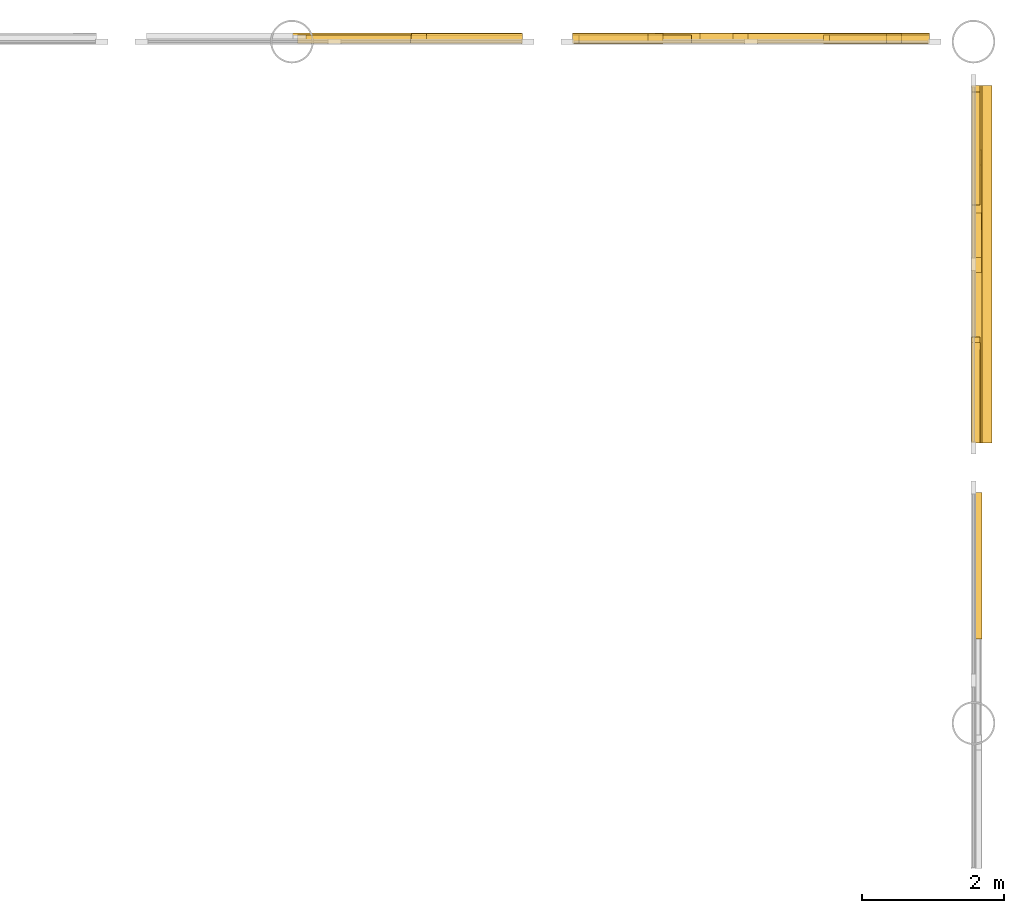
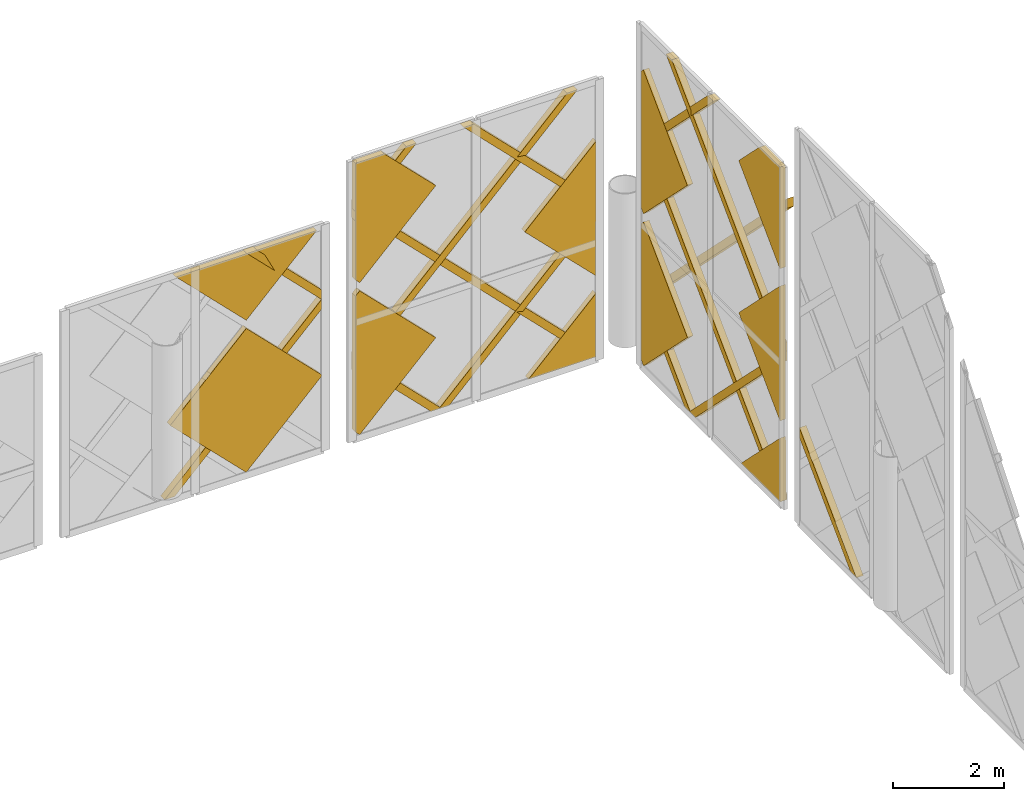
# One storey, part 53 of 53: 26 coverings.
"""IFC4 building model written with IfcOpenShell, lengths in metres."""

from ifc_helpers import new_model, si_unit, direction, frame, origin, place, context, subcontext, project, spatial, polyline, outline, extrude, material, layer, layer_set, type_object, element, save


model = new_model("IFC4")

# Units and contexts
model_context = context("Model", 3, precision=1e-05, world=origin(), true_north=direction((0.0, 1.0)))
body_context = subcontext(model_context, "Body", "Model", "MODEL_VIEW")
ifc_project = project(units=[si_unit("LENGTHUNIT", "METRE"), si_unit("AREAUNIT", "SQUARE_METRE"), si_unit("VOLUMEUNIT", "CUBIC_METRE"), si_unit("PLANEANGLEUNIT", "RADIAN"), si_unit("MASSUNIT", "GRAM", prefix="KILO")], contexts=[model_context])

# Site, building, storey
site_placement = place(None, origin())
site = spatial("IfcSite", under=ifc_project, at=site_placement, CompositionType="ELEMENT")
building_placement = place(site_placement, origin())
building = spatial("IfcBuilding", under=site, at=building_placement, Name="Zevrakil Square Congress Hotel", CompositionType="ELEMENT")
storey_placement = place(building_placement, frame((0.0, 0.0, 14.699951171875)))
storey = spatial("IfcBuildingStorey", under=building, at=storey_placement, Name="L04", CompositionType="ELEMENT", Elevation=14.699951171875)

# Coverings
ifc_material_1 = material(Name="Architectural White Fibre-C GRC", Category="concrete")
ifc_layer_1 = layer(ifc_material_1, 0.06494140625)
ifc_layer_set_1 = layer_set([ifc_layer_1], Name="Architectural White Fibre-C GRC")
covering_type_1 = type_object("IfcCoveringType", Name="COV-DIA-WHITE", PredefinedType="CLADDING", material=ifc_layer_set_1)
covering_1_placement = place(storey_placement, frame((165.695068359375, 108.56005859375, -0.179931640625), z_axis=(0.999999760125, 0.0, 0.000692640526), x_axis=(0.0, -1.0, 0.0)))
element("IfcCovering", 1, at=covering_1_placement, inside=storey, type_object=covering_type_1, Name="L04 45-degree white GRC diamond facade cassette 1368", PredefinedType="CLADDING", context=body_context, shape_type="SweptSolid", body=[
    extrude(outline(polyline([(0.0, 0.0), (1.41015625, 0.0), (1.41015625, -1.4099124475784226), (0.0, 0.0)])), origin(), (0.0, 0.0, -1.0), 0.1201171875),
])
covering_2_placement = place(storey_placement, frame((165.69482421875, 112.090087890625, -0.169921875), z_axis=(0.999999852362, 6.9136546e-05, 0.000538976151), x_axis=(-0.0003322268, -0.707106744146, 0.70710674018)))
element("IfcCovering", 2, at=covering_2_placement, inside=storey, type_object=covering_type_1, Name="L04 45-degree white GRC diamond facade cassette 1369", PredefinedType="CLADDING", context=body_context, shape_type="SweptSolid", body=[
    extrude(outline(polyline([(0.0, 0.0), (2.2487239795162237, 2.220446049250313e-16), (2.2485516641692254, -2.248551438863067), (2.1214934214367727, -2.2485514566580305), (0.00017263312519986973, -0.12723087144925127), (0.0, 0.0)])), origin(), (0.0, 0.0, -1.0), 0.1201171875),
])
covering_3_placement = place(storey_placement, frame((165.693115234375, 108.639892578125, 3.10009765625), z_axis=(0.9999998322, -8.1926907e-05, 0.000573488352), x_axis=(0.000347586468, -0.707106738472, -0.707106738472)))
element("IfcCovering", 3, at=covering_3_placement, inside=storey, type_object=covering_type_1, Name="L04 45-degree white GRC diamond facade cassette 1370", PredefinedType="CLADDING", context=body_context, shape_type="SweptSolid", body=[
    extrude(outline(polyline([(0.0, 0.0), (2.107164524546562, -2.220446049250313e-16), (-3.394399104017509e-07, -2.1071646235498394), (0.0, 0.0)])), origin(), (0.0, 0.0, -1.0), 0.1201171875),
])
covering_4_placement = place(storey_placement, frame((165.69287109375, 112.090087890625, 3.18994140625), z_axis=(0.999999803681, -0.000134428833, 0.000612019203), x_axis=(-0.000527818487, -0.707106705027, 0.707106660351)))
element("IfcCovering", 4, at=covering_4_placement, inside=storey, type_object=covering_type_1, Name="L04 45-degree white GRC diamond facade cassette 1371", PredefinedType="CLADDING", context=body_context, shape_type="SweptSolid", body=[
    extrude(outline(polyline([(0.0, 0.0), (2.2487240624961817, -2.220446049250313e-16), (2.2487245069052637, -2.2487240618501434), (2.1214935125356007, -2.2485513645797712), (0.00017262944814652736, -0.1272308759555356), (0.0, 0.0)])), origin(), (0.0, 0.0, -1.0), 0.1201171875),
])
covering_5_placement = place(storey_placement, frame((165.69091796875, 108.639892578125, 6.4599609375), z_axis=(0.999999787923, 2.780311e-06, 0.000651265036), x_axis=(0.000462479949, -0.707106705252, -0.70710670588)))
element("IfcCovering", 5, at=covering_5_placement, inside=storey, type_object=covering_type_1, Name="L04 45-degree white GRC diamond facade cassette 1372", PredefinedType="CLADDING", context=body_context, shape_type="SweptSolid", body=[
    extrude(outline(polyline([(0.0, 0.0), (2.1071646235488783, 2.220446049250313e-16), (0.5189359934280854, -1.5882282890116075), (-0.00017285976820125004, -1.0691193243271722), (0.0, 0.0)])), origin(), (0.0, 0.0, -1.0), 0.1201171875),
])
covering_6_placement = place(storey_placement, frame((157.669921875, 112.89306640625, 3.010009765625), z_axis=(2.3579e-08, 0.999999812541, 0.0006123053), x_axis=(-0.707106714489, 0.000432981944, -0.707106715321)))
element("IfcCovering", 6, at=covering_6_placement, inside=storey, type_object=covering_type_1, Name="L04 45-degree white GRC diamond facade cassette 1495", PredefinedType="CLADDING", context=body_context, shape_type="SweptSolid", body=[
    extrude(outline(polyline([(0.0, 0.0), (2.248378805382471, -2.220446049250313e-16), (2.248551863014511, -2.248551438825186), (0.01398373565752209, -2.2485514362281265), (4.241484949929486e-07, -2.2345681273566456), (0.0, 0.0)])), origin(), (0.0, 0.0, -1.0), 0.1201171875),
])
covering_7_placement = place(storey_placement, frame((157.669921875, 112.892822265625, 3.18994140625), z_axis=(0.0, 0.999999875912, 0.000498173303), x_axis=(0.707048019704, -0.000352290991, 0.707165450035)))
element("IfcCovering", 7, at=covering_7_placement, inside=storey, type_object=covering_type_1, Name="L04 45-degree white GRC diamond facade cassette 1497", PredefinedType="CLADDING", context=body_context, shape_type="SweptSolid", body=[
    extrude(outline(polyline([(0.0, 0.0), (2.0790252743221878, -2.220446049250313e-16), (0.0003455249860142562, -2.0790252456098104), (0.0, 0.0)])), origin(), (0.0, 0.0, -1.0), 0.1201171875),
])
covering_8_placement = place(storey_placement, frame((163.570068359375, 112.89501953125, -0.179931640625), z_axis=(0.0, 0.999999760125, 0.000692640526), x_axis=(1.0, 0.0, 0.0)))
element("IfcCovering", 8, at=covering_8_placement, inside=storey, type_object=covering_type_1, Name="L04 45-degree white GRC diamond facade cassette 1503", PredefinedType="CLADDING", context=body_context, shape_type="SweptSolid", body=[
    extrude(outline(polyline([(0.0, 0.0), (1.409912109375, 0.0), (1.409912109375, -1.4099124475784228), (0.0, 0.0)])), origin(), (0.0, 0.0, -1.0), 0.1201171875),
])
covering_9_placement = place(storey_placement, frame((160.0400390625, 112.89501953125, -0.169921875), z_axis=(4.2481e-08, 0.999999810286, 0.000615977294), x_axis=(0.707052423992, -0.000435625238, 0.707161000026)))
element("IfcCovering", 9, at=covering_9_placement, inside=storey, type_object=covering_type_1, Name="L04 45-degree white GRC diamond facade cassette 1504", PredefinedType="CLADDING", context=body_context, shape_type="SweptSolid", body=[
    extrude(outline(polyline([(0.0, 0.0), (2.248551445484817, 0.0), (2.2487244898302956, -2.2483787987238553), (2.1214936322954827, -2.248561224467988), (9.781385940751952e-06, -0.12740350426852678), (0.0, 0.0)])), origin(), (0.0, 0.0, -1.0), 0.1201171875),
])
covering_10_placement = place(storey_placement, frame((163.489990234375, 112.89306640625, 3.10009765625), z_axis=(8.1926907e-05, 0.9999998322, 0.000573488352), x_axis=(0.707106738472, 0.000347586468, -0.707106738472)))
element("IfcCovering", 10, at=covering_10_placement, inside=storey, type_object=covering_type_1, Name="L04 45-degree white GRC diamond facade cassette 1505", PredefinedType="CLADDING", context=body_context, shape_type="SweptSolid", body=[
    extrude(outline(polyline([(0.0, 0.0), (2.107164524546562, -2.220446049250313e-16), (-3.394399104017509e-07, -2.1071646235498394), (0.0, 0.0)])), origin(), (0.0, 0.0, -1.0), 0.1201171875),
])
covering_11_placement = place(storey_placement, frame((160.0400390625, 112.892822265625, 3.18994140625), z_axis=(-4.5849018e-05, 0.999999840474, 0.000562982506), x_axis=(0.707052455562, -0.000365701674, 0.707161008078)))
element("IfcCovering", 11, at=covering_11_placement, inside=storey, type_object=covering_type_1, Name="L04 45-degree white GRC diamond facade cassette 1506", PredefinedType="CLADDING", context=body_context, shape_type="SweptSolid", body=[
    extrude(outline(polyline([(0.0, 0.0), (2.2485513509124555, 0.0), (2.2488414841859816, -1.5272886552898461), (1.8245409627571845, -1.9516543746817172), (9.7792671272523e-06, -0.12740350454578792), (0.0, 0.0)])), origin(), (0.0, 0.0, -1.0), 0.1201171875),
])
ifc_material_2 = material(Name="Anodised Champagne Aluminium", Category="aluminium")
ifc_layer_2 = layer(ifc_material_2, 0.0849609375)
ifc_layer_set_2 = layer_set([ifc_layer_2], Name="Anodised Champagne Aluminium")
covering_type_2 = type_object("IfcCoveringType", Name="COV-DIAGRID-45", PredefinedType="MOLDING", material=ifc_layer_set_2)
covering_12_placement = place(storey_placement, frame((165.719970703125, 104.59619140625, -0.179931640625), z_axis=(0.999999903024, 0.000311410035, 0.000311410035), x_axis=(0.000311410019, -0.999999951512, 9.6976e-08)))
element("IfcCovering", 12, at=covering_12_placement, inside=storey, type_object=covering_type_2, Name="L04 45-degree aluminium diagrid rib 1364", PredefinedType="MOLDING", context=body_context, shape_type="SweptSolid", body=[
    extrude(outline(polyline([(0.0, 0.0), (0.21240233345101264, 0.0), (-1.8537598555103045, -2.0661623893299237), (-1.8537598761082796, -1.853760055878912), (0.0, 0.0)])), origin(), (0.0, 0.0, -1.0), 0.14501953125),
])
covering_13_placement = place(storey_placement, frame((165.718017578125, 107.14990234375, 3.093994140625), z_axis=(0.999999907611, 0.000303781174, 0.00030413075), x_axis=(-0.000304130736, -9.2389e-08, 0.999999953752)))
element("IfcCovering", 13, at=covering_13_placement, inside=storey, type_object=covering_type_2, Name="L04 45-degree aluminium diagrid rib 1373", PredefinedType="MOLDING", context=body_context, shape_type="SweptSolid", body=[
    extrude(outline(polyline([(0.0, 0.0), (0.21215819331315888, -2.8078904387053947e-24), (4.122070503136517, -3.909912670619058), (4.122070483512835, -4.1223150045684935), (0.0, 0.0)])), origin(), (0.0, 0.0, -1.0), 0.14501953125),
])
covering_14_placement = place(storey_placement, frame((165.719970703125, 107.236083984375, -0.179931640625), z_axis=(0.999999753919, -8.7267435e-05, 0.000696093713), x_axis=(-8.7267414e-05, -0.999999996192, -6.0746e-08)))
element("IfcCovering", 14, at=covering_14_placement, inside=storey, type_object=covering_type_2, Name="L04 45-degree aluminium diagrid rib 1374", PredefinedType="MOLDING", context=body_context, shape_type="SweptSolid", body=[
    extrude(outline(polyline([(0.0, 0.0), (0.08618164029683732, 0.0), (0.0861816326442256, -0.1259765319792475), (-4.943847673661377, -5.156006819494465), (-4.94384768207907, -4.943848497824969), (0.0, 0.0)])), origin(), (0.0, 0.0, -1.0), 0.14501953125),
])
covering_15_placement = place(storey_placement, frame((165.719970703125, 110.59619140625, -0.179931640625), z_axis=(0.999999916523, 0.000288757226, 0.000289089512), x_axis=(0.000288757214, -0.99999995831, 8.3477e-08)))
element("IfcCovering", 15, at=covering_15_placement, inside=storey, type_object=covering_type_2, Name="L04 45-degree aluminium diagrid rib 1375", PredefinedType="MOLDING", context=body_context, shape_type="SweptSolid", body=[
    extrude(outline(polyline([(0.0, 0.0), (0.21240233489486798, -2.81112161297318e-24), (-1.5837403004017168, -1.796142785384697), (-1.5837403181119811, -1.5839845911250197), (0.0, 0.0)])), origin(), (0.0, 0.0, -1.0), 0.14501953125),
])
covering_16_placement = place(storey_placement, frame((165.718017578125, 107.14990234375, 2.89404296875), z_axis=(0.999999905696, -0.00030708991, 0.00030708991), x_axis=(-0.000307089896, 9.4304e-08, 0.999999952848)))
element("IfcCovering", 16, at=covering_16_placement, inside=storey, type_object=covering_type_2, Name="L04 45-degree aluminium diagrid rib 1376", PredefinedType="MOLDING", context=body_context, shape_type="SweptSolid", body=[
    extrude(outline(polyline([(0.0, 0.0), (0.2121581931212936, 0.0), (-3.0739747543193885, -3.2861332573369064), (-3.073974774326802, -3.0739750642156136), (0.0, 0.0)])), origin(), (0.0, 0.0, -1.0), 0.14501953125),
])
covering_17_placement = place(storey_placement, frame((165.716064453125, 107.14990234375, 6.25390625), z_axis=(-0.999999830382, 0.000582439352, 0.0), x_axis=(0.0, 0.0, 1.0)))
element("IfcCovering", 17, at=covering_17_placement, inside=storey, type_object=covering_type_2, Name="L04 45-degree aluminium diagrid rib 1377", PredefinedType="MOLDING", context=body_context, shape_type="SweptSolid", body=[
    extrude(outline(polyline([(0.0, 0.0), (0.212158203125, 0.0), (-4.81787109375, 5.0300301500577165), (-5.030029296875, 5.0300301500577165), (0.0, 0.0)])), origin(), (0.0, 0.0, -1.0), 0.14501953125),
])
covering_18_placement = place(storey_placement, frame((165.715576171875, 109.5478515625, 7.216064453125), z_axis=(0.999999915927, -0.0002899531, 0.0002899531), x_axis=(0.000289953088, 0.999999957964, 8.4073e-08)))
element("IfcCovering", 18, at=covering_18_placement, inside=storey, type_object=covering_type_2, Name="L04 45-degree aluminium diagrid rib 1378", PredefinedType="MOLDING", context=body_context, shape_type="SweptSolid", body=[
    extrude(outline(polyline([(0.0, 0.0), (0.2121581942066327, 0.0), (2.6320801887681777, -2.4199221980111894), (2.632080170931443, -2.6320803922178215), (0.0, 0.0)])), origin(), (0.0, 0.0, -1.0), 0.14501953125),
])
covering_19_placement = place(storey_placement, frame((159.25, 112.91796875, 3.093994140625), z_axis=(-0.000334420162, 0.999999888163, 0.000334420162), x_axis=(1.11837e-07, -0.000334420143, 0.999999944082)))
element("IfcCovering", 19, at=covering_19_placement, inside=storey, type_object=covering_type_2, Name="L04 45-degree aluminium diagrid rib 1498", PredefinedType="MOLDING", context=body_context, shape_type="SweptSolid", body=[
    extrude(outline(polyline([(0.0, 0.0), (0.2121581912614477, 5.6157808774107894e-24), (1.5661621969523216, -1.3540041571184345), (1.5661621732252162, -1.5661623483798808), (0.0, 0.0)])), origin(), (0.0, 0.0, -1.0), 0.14501953125),
])
covering_20_placement = place(storey_placement, frame((159.25, 112.918212890625, 2.89404296875), z_axis=(-0.000287477056, 0.99999958606, 0.000863270454), x_axis=(-8.2643e-08, -0.000863270513, 0.999999627382)))
element("IfcCovering", 20, at=covering_20_placement, inside=storey, type_object=covering_type_2, Name="L04 45-degree aluminium diagrid rib 1501", PredefinedType="MOLDING", context=body_context, shape_type="SweptSolid", body=[
    extrude(outline(polyline([(0.0, 0.0), (0.21215833483042407, 1.3234889800848443e-23), (-3.0739746676964605, -3.286133202330571), (-3.073974685229852, -3.0739750079722734), (0.0, 0.0)])), origin(), (0.0, 0.0, -1.0), 0.14501953125),
])
covering_21_placement = place(storey_placement, frame((164.97998046875, 112.91796875, 3.093994140625), z_axis=(-0.000321233504, 0.999999896809, 0.000321233504), x_axis=(1.03191e-07, -0.000321233487, 0.999999948405)))
element("IfcCovering", 21, at=covering_21_placement, inside=storey, type_object=covering_type_2, Name="L04 45-degree aluminium diagrid rib 1507", PredefinedType="MOLDING", context=body_context, shape_type="SweptSolid", body=[
    extrude(outline(polyline([(0.0, 0.0), (0.21215819217859497, 2.8078904387053947e-24), (2.7661134239689584, -2.553955495335506), (2.766113402076148, -2.7661136875141), (0.0, 0.0)])), origin(), (0.0, 0.0, -1.0), 0.14501953125),
])
covering_22_placement = place(storey_placement, frame((164.893798828125, 112.919921875, -0.179931640625), z_axis=(-0.000465762673, 0.999999884486, 0.000118710631), x_axis=(0.999999891533, 0.000465762669, 5.5291e-08)))
element("IfcCovering", 22, at=covering_22_placement, inside=storey, type_object=covering_type_2, Name="L04 45-degree aluminium diagrid rib 1508", PredefinedType="MOLDING", context=body_context, shape_type="SweptSolid", body=[
    extrude(outline(polyline([(0.0, 0.0), (0.0861816312770981, -5.703022582640992e-25), (0.08618163824246652, -0.12597656161235546), (-4.9438481994619226, -5.156006170830311), (-4.943848211192359, -4.943847969200201), (0.0, 0.0)])), origin(), (0.0, 0.0, -1.0), 0.14501953125),
])
covering_23_placement = place(storey_placement, frame((161.533935546875, 112.919921875, -0.179931640625), z_axis=(-0.000288912941, 0.999999916529, 0.000288912941), x_axis=(0.999999958265, 0.000288912929, 8.3471e-08)))
element("IfcCovering", 23, at=covering_23_placement, inside=storey, type_object=covering_type_2, Name="L04 45-degree aluminium diagrid rib 1509", PredefinedType="MOLDING", context=body_context, shape_type="SweptSolid", body=[
    extrude(outline(polyline([(0.0, 0.0), (0.21215819427050428, 0.0), (-1.5839844411081363, -1.7961427853039198), (-1.5839844588171281, -1.5839845910334163), (0.0, 0.0)])), origin(), (0.0, 0.0, -1.0), 0.14501953125),
])
covering_24_placement = place(storey_placement, frame((164.97998046875, 112.918212890625, 2.89404296875), z_axis=(-0.000287477056, 0.99999958606, 0.000863270454), x_axis=(-8.2643e-08, -0.000863270513, 0.999999627382)))
element("IfcCovering", 24, at=covering_24_placement, inside=storey, type_object=covering_type_2, Name="L04 45-degree aluminium diagrid rib 1510", PredefinedType="MOLDING", context=body_context, shape_type="SweptSolid", body=[
    extrude(outline(polyline([(0.0, 0.0), (0.21215833483042407, 1.3234889800848443e-23), (-3.0739746676964605, -3.286133202330571), (-3.073974685229852, -3.0739750079722734), (0.0, 0.0)])), origin(), (0.0, 0.0, -1.0), 0.14501953125),
])
covering_25_placement = place(storey_placement, frame((164.586181640625, 112.916259765625, 5.860107421875), z_axis=(-0.000265343616, 0.999999573097, 0.000885098536), x_axis=(-0.999999964796, -0.000265343512, -2.34855e-07)))
element("IfcCovering", 25, at=covering_25_placement, inside=storey, type_object=covering_type_2, Name="L04 45-degree aluminium diagrid rib 1511", PredefinedType="MOLDING", context=body_context, shape_type="SweptSolid", body=[
    extrude(outline(polyline([(0.0, 0.0), (0.21240233627266908, 5.62224322594636e-24), (4.636230631962091, -4.424072909690409), (4.6362306170074294, -4.636231245801598), (0.0, 0.0)])), origin(), (0.0, 0.0, -1.0), 0.14501953125),
])
covering_26_placement = place(storey_placement, frame((161.22607421875, 112.916259765625, 5.860107421875), z_axis=(0.000312989015, 0.999999902038, 0.000312989015), x_axis=(-0.999999951019, 0.000312988999, 9.7962e-08)))
element("IfcCovering", 26, at=covering_26_placement, inside=storey, type_object=covering_type_2, Name="L04 45-degree aluminium diagrid rib 1512", PredefinedType="MOLDING", context=body_context, shape_type="SweptSolid", body=[
    extrude(outline(polyline([(0.0, 0.0), (0.21215819273326572, 2.8078904387053947e-24), (1.2761231093808665, -1.0639650208758784), (1.2761230885973973, -1.276123213609143), (0.0, 0.0)])), origin(), (0.0, 0.0, -1.0), 0.14501953125),
])

save(model, "model.ifc")
